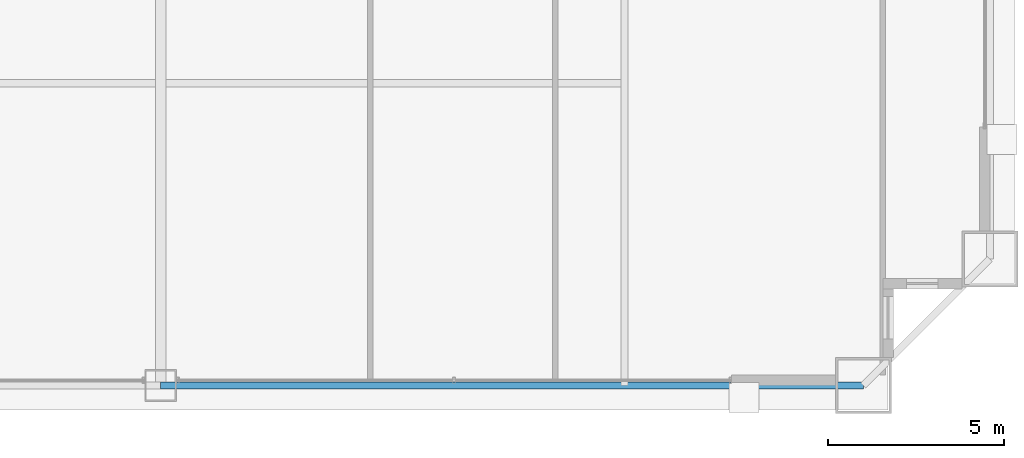
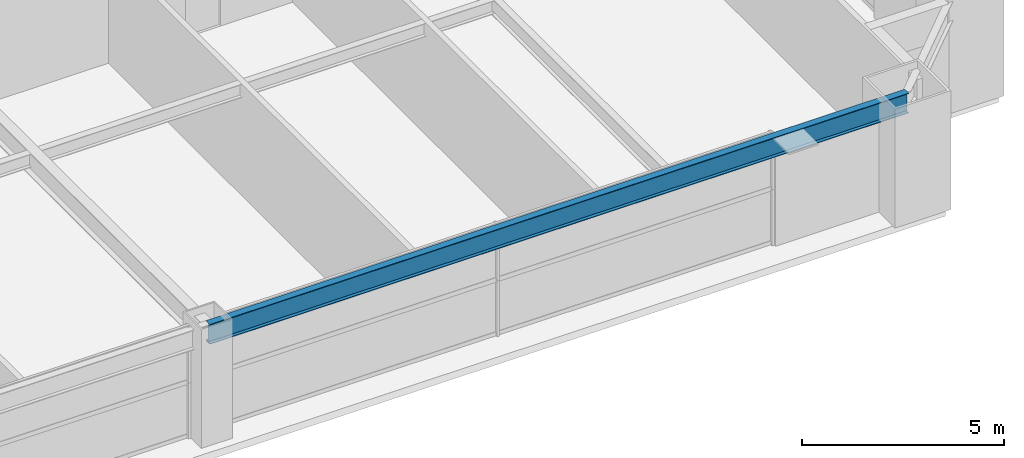
# One storey, part 15 of 39: 1 beam.
"""IFC4 building model written with IfcOpenShell, lengths in metres."""

from ifc_helpers import new_model, si_unit, direction, frame, origin, origin_2d, place, context, subcontext, project, spatial, i_section, extrude, source, transform, mapped, material, material_profile, profile_set, type_object, element, save


model = new_model("IFC4")

# Units and contexts
model_context = context("Model", 3, precision=1e-05, world=origin(), true_north=direction((0.0, 1.0)))
body_context = subcontext(model_context, "Body", "Model", "MODEL_VIEW")
ifc_project = project(units=[si_unit("LENGTHUNIT", "METRE"), si_unit("AREAUNIT", "SQUARE_METRE"), si_unit("VOLUMEUNIT", "CUBIC_METRE"), si_unit("PLANEANGLEUNIT", "RADIAN"), si_unit("MASSUNIT", "GRAM", prefix="KILO"), si_unit("THERMODYNAMICTEMPERATUREUNIT", "KELVIN"), si_unit("POWERUNIT", "WATT")], contexts=[model_context])

# Site, building, storey
site_placement = place(None, origin())
site = spatial("IfcSite", under=ifc_project, at=site_placement, CompositionType="ELEMENT")
building_placement = place(site_placement, origin())
building = spatial("IfcBuilding", under=site, at=building_placement, Name="Yuzanri Waterfront Tower", CompositionType="ELEMENT")
storey_placement = place(building_placement, frame((0.0, 0.0, 134.39990234375)))
storey = spatial("IfcBuildingStorey", under=building, at=storey_placement, Name="L35", CompositionType="ELEMENT", Elevation=134.39990234375)

# Beam
ifc_material = material(Name="Steel Q355B", Category="steel")
ifc_material_profile = material_profile(ifc_material, i_section(OverallWidth=0.199951171875, OverallDepth=0.60009765625, WebThickness=0.010986328125, FlangeThickness=0.01708984375, at=origin_2d()), Name="HN 600x200x11x17")
ifc_profile_set = profile_set([ifc_material_profile], Name="Steel Q355B")
beam_type = type_object("IfcBeamType", Name="Perimeter Spandrel Q355B HN 600x200", PredefinedType="SPANDREL", material=ifc_profile_set)
shared_shape = source(origin(), body_context, "Body", "SweptSolid", [
    extrude(i_section(OverallWidth=0.199951171875, OverallDepth=0.60009765625, WebThickness=0.010986328125, FlangeThickness=0.01708984375, at=origin_2d()), origin(), (0.0, 0.0, 1.0), 20.0),
])
beam_placement = place(storey_placement, frame((37.0, 2.199951171875, 3.080078125), z_axis=(1.0, 0.0, 0.0), x_axis=(0.0, 1.0, 0.0)))
element("IfcBeam", 1, at=beam_placement, inside=storey, type_object=beam_type, Name="L35 Perimeter Spandrel S2-S3", PredefinedType="SPANDREL", context=body_context, shape_type="MappedRepresentation", body=[
    mapped(shared_shape, transform((0.0, 0.0, 0.0), scale=1.0)),
])

save(model, "model.ifc")
